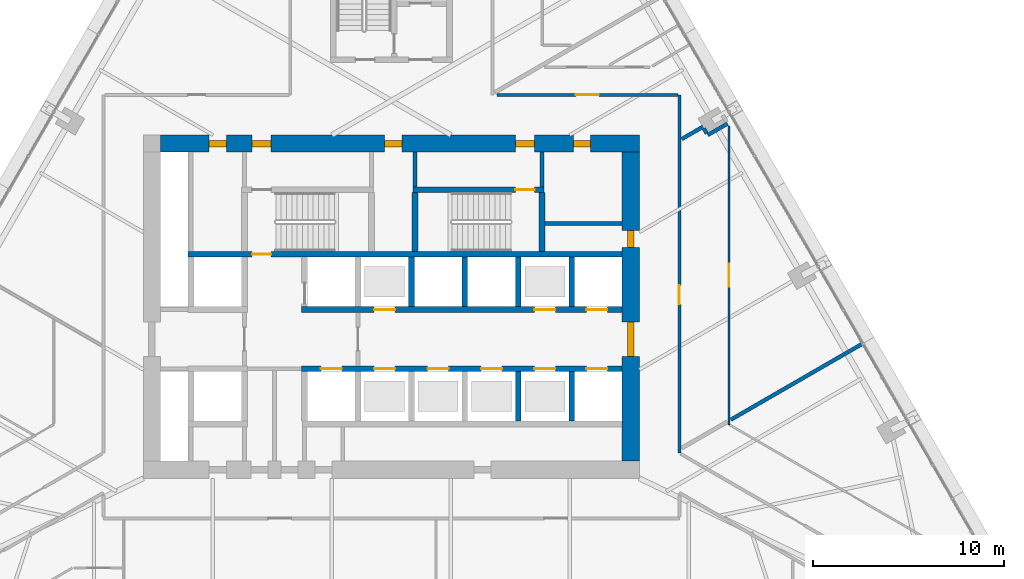
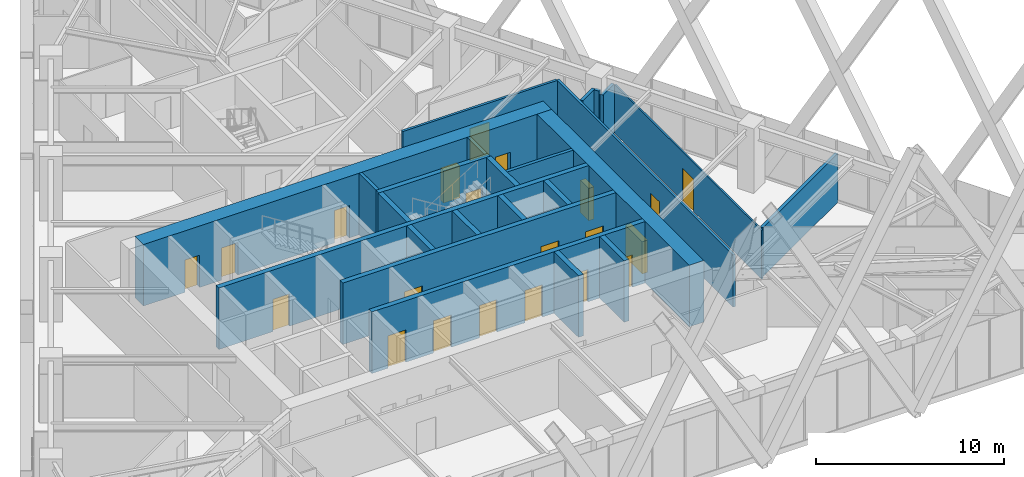
# One storey, part 17 of 21: 24 walls, 21 doors, 21 openings.
"""IFC4 building model written with IfcOpenShell, lengths in metres."""

from ifc_helpers import new_model, si_unit, direction, frame, frame_2d, origin, place, context, subcontext, project, spatial, rectangle, extrude, material, layer, layer_set, type_object, element, fill, save


model = new_model("IFC4")

# Units and contexts
model_context = context("Model", 3, precision=1e-05, world=origin(), true_north=direction((0.0, 1.0)))
body_context = subcontext(model_context, "Body", "Model", "MODEL_VIEW")
ifc_project = project(units=[si_unit("LENGTHUNIT", "METRE"), si_unit("AREAUNIT", "SQUARE_METRE"), si_unit("VOLUMEUNIT", "CUBIC_METRE"), si_unit("PLANEANGLEUNIT", "RADIAN"), si_unit("MASSUNIT", "GRAM", prefix="KILO")], contexts=[model_context])

# Site, building, storey
site_placement = place(None, origin())
site = spatial("IfcSite", under=ifc_project, at=site_placement, CompositionType="ELEMENT")
building_placement = place(site_placement, origin())
building = spatial("IfcBuilding", under=site, at=building_placement, Name="Firuza Gate Tower and Library", CompositionType="ELEMENT")
storey_placement = place(building_placement, frame((0.0, 0.0, 107.199951171875)))
storey = spatial("IfcBuildingStorey", under=building, at=storey_placement, Name="L24", CompositionType="ELEMENT", Elevation=107.199951171875)

# Walls
ifc_material_1 = material(Name="Plasterboard on steel studs", Category="steel")
ifc_layer_1 = layer(ifc_material_1, 0.199951171875)
ifc_layer_set_1 = layer_set([ifc_layer_1], Name="Core partition 200 EI 60")
wall_type_1 = type_object("IfcWallType", Name="Core partition 200 EI 60", PredefinedType="PARTITIONING", material=ifc_layer_set_1)
wall_1_placement = place(storey_placement, frame((83.050048828125, 79.35498046875, 0.0), z_axis=(0.0, 0.0, 1.0), x_axis=(1.0, 0.0, 0.0)))
element("IfcWall", 1, at=wall_1_placement, inside=storey, type_object=wall_type_1, Name="Core partition L24 4", PredefinedType="PARTITIONING", context=body_context, shape_type="SweptSolid", body=[
    extrude(rectangle(XDim=4.050048828125, YDim=0.199951171875, at=frame_2d((2.02490234375, 0.0))), origin(), (0.0, 0.0, 1.0), 4.0),
])
for number, where, z_axis, x_axis, name in (
    (2, (76.239990234375, 81.280029296875, 0.0), (0.0, 0.0, 1.0), (0.0, 1.0, 0.0), "Core partition L24 15"),
    (3, (82.89990234375, 81.280029296875, 0.0), (0.0, 0.0, 1.0), (0.0, 1.0, 0.0), "Core partition L24 16"),
):
    element("IfcWall", number, at=place(storey_placement, frame(where, z_axis=z_axis, x_axis=x_axis)), inside=storey, type_object=wall_type_1, Name=name, PredefinedType="PARTITIONING", context=body_context, shape_type="SweptSolid", body=[
        extrude(rectangle(XDim=1.820068359375, YDim=0.199951171875, at=frame_2d((0.91015625, 0.0))), origin(), (0.0, 0.0, 1.0), 4.0),
    ])

# Wall, openings, doors
ifc_material_2 = material(Name="Concrete C80/95", Category="concrete")
ifc_layer_2 = layer(ifc_material_2, 0.300048828125)
ifc_layer_set_2 = layer_set([ifc_layer_2], Name="Core wall 300 C80/95")
wall_type_2 = type_object("IfcWallType", Name="Core wall 300 C80/95", PredefinedType="SHEAR", material=ifc_layer_set_2)
wall_2_placement = place(storey_placement, frame((70.300048828125, 71.75, 0.0), z_axis=(0.0, 0.0, 1.0), x_axis=(1.0, 0.0, 0.0)))
wall_2 = element("IfcWall", 4, at=wall_2_placement, inside=storey, type_object=wall_type_2, Name="Core wall L24 8", PredefinedType="SHEAR", context=body_context, shape_type="SweptSolid", body=[
    extrude(rectangle(XDim=16.800048828125, YDim=0.300048828125, at=frame_2d((8.39990234375, 0.0))), origin(), (0.0, 0.0, 1.0), 4.0),
])
opening_1_placement = place(wall_2_placement, frame((1.0, 0.0, 0.0)))
opening_1 = element("IfcOpeningElement", 5, at=opening_1_placement, cuts=wall_2, Name="Opening LD-FF1-L24", PredefinedType="OPENING", context=body_context, shape_type="SweptSolid", body=[
    extrude(rectangle(XDim=1.10009765625, YDim=2.10009765625, at=frame_2d((0.550048828125, 1.050048828125))), frame((0.0, 0.16015625, 0.0), z_axis=(0.0, -1.0, 0.0), x_axis=(1.0, 0.0, 0.0)), (0.0, 0.0, 1.0), 0.320068359375),
])
opening_2_placement = place(wall_2_placement, frame((3.800048828125, 0.0, 0.0)))
opening_2 = element("IfcOpeningElement", 6, at=opening_2_placement, cuts=wall_2, Name="Opening LD-LR1-L24", PredefinedType="OPENING", context=body_context, shape_type="SweptSolid", body=[
    extrude(rectangle(XDim=1.10009765625, YDim=2.10009765625, at=frame_2d((0.550048828125, 1.050048828125))), frame((0.0, 0.16015625, 0.0), z_axis=(0.0, -1.0, 0.0), x_axis=(1.0, 0.0, 0.0)), (0.0, 0.0, 1.0), 0.320068359375),
])
opening_3_placement = place(wall_2_placement, frame((6.60009765625, 0.0, 0.0)))
opening_3 = element("IfcOpeningElement", 7, at=opening_3_placement, cuts=wall_2, Name="Opening LD-LR2-L24", PredefinedType="OPENING", context=body_context, shape_type="SweptSolid", body=[
    extrude(rectangle(XDim=1.10009765625, YDim=2.10009765625, at=frame_2d((0.550048828125, 1.050048828125))), frame((0.0, 0.16015625, 0.0), z_axis=(0.0, -1.0, 0.0), x_axis=(1.0, 0.0, 0.0)), (0.0, 0.0, 1.0), 0.320068359375),
])
opening_4_placement = place(wall_2_placement, frame((9.39990234375, 0.0, 0.0)))
opening_4 = element("IfcOpeningElement", 8, at=opening_4_placement, cuts=wall_2, Name="Opening LD-LR3-L24", PredefinedType="OPENING", context=body_context, shape_type="SweptSolid", body=[
    extrude(rectangle(XDim=1.10009765625, YDim=2.10009765625, at=frame_2d((0.550048828125, 1.050048828125))), frame((0.0, 0.16015625, 0.0), z_axis=(0.0, -1.0, 0.0), x_axis=(1.0, 0.0, 0.0)), (0.0, 0.0, 1.0), 0.320068359375),
])
opening_5_placement = place(wall_2_placement, frame((12.199951171875, 0.0, 0.0)))
opening_5 = element("IfcOpeningElement", 9, at=opening_5_placement, cuts=wall_2, Name="Opening LD-LR5-L24", PredefinedType="OPENING", context=body_context, shape_type="SweptSolid", body=[
    extrude(rectangle(XDim=1.10009765625, YDim=2.10009765625, at=frame_2d((0.550048828125, 1.050048828125))), frame((0.0, 0.16015625, 0.0), z_axis=(0.0, -1.0, 0.0), x_axis=(1.0, 0.0, 0.0)), (0.0, 0.0, 1.0), 0.320068359375),
])
opening_6_placement = place(wall_2_placement, frame((14.925048828125, 0.0, 0.0)))
opening_6 = element("IfcOpeningElement", 10, at=opening_6_placement, cuts=wall_2, Name="Opening LD-LR7-L24", PredefinedType="OPENING", context=body_context, shape_type="SweptSolid", body=[
    extrude(rectangle(XDim=1.10009765625, YDim=2.10009765625, at=frame_2d((0.550048828125, 1.050048828125))), frame((0.0, 0.16015625, 0.0), z_axis=(0.0, -1.0, 0.0), x_axis=(1.0, 0.0, 0.0)), (0.0, 0.0, 1.0), 0.320068359375),
])
ifc_material_3 = material(Name="Stainless steel", Category="steel")
door_type_1 = type_object("IfcDoorType", Name="Lift landing door 1100x2100", OperationType="DOUBLE_DOOR_SLIDING", PredefinedType="DOOR", material=ifc_material_3)
door_1_placement = place(opening_1_placement, origin())
door_1 = element("IfcDoor", 11, at=door_1_placement, inside=storey, type_object=door_type_1, Name="Landing door FF1 L24", OperationType="DOUBLE_DOOR_SLIDING", OverallHeight=2.10009765625, OverallWidth=1.10009765625, PredefinedType="DOOR", context=body_context, shape_type="SweptSolid", body=[
    extrude(rectangle(XDim=1.10009765625, YDim=2.10009765625, at=frame_2d((0.550048828125, 1.050048828125))), frame((0.0, 0.02490234375, 0.0), z_axis=(0.0, -1.0, 0.0), x_axis=(1.0, 0.0, 0.0)), (0.0, 0.0, 1.0), 0.050048828125),
])
fill(opening_1, door_1)
door_2_placement = place(opening_2_placement, origin())
door_2 = element("IfcDoor", 12, at=door_2_placement, inside=storey, type_object=door_type_1, Name="Landing door LR1 L24", OperationType="DOUBLE_DOOR_SLIDING", OverallHeight=2.10009765625, OverallWidth=1.10009765625, PredefinedType="DOOR", context=body_context, shape_type="SweptSolid", body=[
    extrude(rectangle(XDim=1.10009765625, YDim=2.10009765625, at=frame_2d((0.550048828125, 1.050048828125))), frame((0.0, 0.02490234375, 0.0), z_axis=(0.0, -1.0, 0.0), x_axis=(1.0, 0.0, 0.0)), (0.0, 0.0, 1.0), 0.050048828125),
])
fill(opening_2, door_2)
door_3_placement = place(opening_3_placement, origin())
door_3 = element("IfcDoor", 13, at=door_3_placement, inside=storey, type_object=door_type_1, Name="Landing door LR2 L24", OperationType="DOUBLE_DOOR_SLIDING", OverallHeight=2.10009765625, OverallWidth=1.10009765625, PredefinedType="DOOR", context=body_context, shape_type="SweptSolid", body=[
    extrude(rectangle(XDim=1.10009765625, YDim=2.10009765625, at=frame_2d((0.550048828125, 1.050048828125))), frame((0.0, 0.02490234375, 0.0), z_axis=(0.0, -1.0, 0.0), x_axis=(1.0, 0.0, 0.0)), (0.0, 0.0, 1.0), 0.050048828125),
])
fill(opening_3, door_3)
door_4_placement = place(opening_4_placement, origin())
door_4 = element("IfcDoor", 14, at=door_4_placement, inside=storey, type_object=door_type_1, Name="Landing door LR3 L24", OperationType="DOUBLE_DOOR_SLIDING", OverallHeight=2.10009765625, OverallWidth=1.10009765625, PredefinedType="DOOR", context=body_context, shape_type="SweptSolid", body=[
    extrude(rectangle(XDim=1.10009765625, YDim=2.10009765625, at=frame_2d((0.550048828125, 1.050048828125))), frame((0.0, 0.02490234375, 0.0), z_axis=(0.0, -1.0, 0.0), x_axis=(1.0, 0.0, 0.0)), (0.0, 0.0, 1.0), 0.050048828125),
])
fill(opening_4, door_4)
door_5_placement = place(opening_5_placement, origin())
door_5 = element("IfcDoor", 15, at=door_5_placement, inside=storey, type_object=door_type_1, Name="Landing door LR5 L24", OperationType="DOUBLE_DOOR_SLIDING", OverallHeight=2.10009765625, OverallWidth=1.10009765625, PredefinedType="DOOR", context=body_context, shape_type="SweptSolid", body=[
    extrude(rectangle(XDim=1.10009765625, YDim=2.10009765625, at=frame_2d((0.550048828125, 1.050048828125))), frame((0.0, 0.02490234375, 0.0), z_axis=(0.0, -1.0, 0.0), x_axis=(1.0, 0.0, 0.0)), (0.0, 0.0, 1.0), 0.050048828125),
])
fill(opening_5, door_5)
door_6_placement = place(opening_6_placement, origin())
door_6 = element("IfcDoor", 16, at=door_6_placement, inside=storey, type_object=door_type_1, Name="Landing door LR7 L24", OperationType="DOUBLE_DOOR_SLIDING", OverallHeight=2.10009765625, OverallWidth=1.10009765625, PredefinedType="DOOR", context=body_context, shape_type="SweptSolid", body=[
    extrude(rectangle(XDim=1.10009765625, YDim=2.10009765625, at=frame_2d((0.550048828125, 1.050048828125))), frame((0.0, 0.02490234375, 0.0), z_axis=(0.0, -1.0, 0.0), x_axis=(1.0, 0.0, 0.0)), (0.0, 0.0, 1.0), 0.050048828125),
])
fill(opening_6, door_6)

wall_3_placement = place(storey_placement, frame((70.300048828125, 74.85009765625, 0.0), z_axis=(0.0, 0.0, 1.0), x_axis=(1.0, 0.0, 0.0)))
wall_3 = element("IfcWall", 17, at=wall_3_placement, inside=storey, type_object=wall_type_2, Name="Core wall L24 10", PredefinedType="SHEAR", context=body_context, shape_type="SweptSolid", body=[
    extrude(rectangle(XDim=16.800048828125, YDim=0.300048828125, at=frame_2d((8.39990234375, 0.0))), origin(), (0.0, 0.0, 1.0), 4.0),
])
opening_7_placement = place(wall_3_placement, frame((3.800048828125, 0.0, 0.0)))
opening_7 = element("IfcOpeningElement", 18, at=opening_7_placement, cuts=wall_3, Name="Opening LD-LR4-L24", PredefinedType="OPENING", context=body_context, shape_type="SweptSolid", body=[
    extrude(rectangle(XDim=1.10009765625, YDim=2.10009765625, at=frame_2d((0.550048828125, 1.050048828125))), frame((0.0, 0.16015625, 0.0), z_axis=(0.0, -1.0, 0.0), x_axis=(1.0, 0.0, 0.0)), (0.0, 0.0, 1.0), 0.320068359375),
])
opening_8_placement = place(wall_3_placement, frame((12.199951171875, 0.0, 0.0)))
opening_8 = element("IfcOpeningElement", 19, at=opening_8_placement, cuts=wall_3, Name="Opening LD-LR6-L24", PredefinedType="OPENING", context=body_context, shape_type="SweptSolid", body=[
    extrude(rectangle(XDim=1.10009765625, YDim=2.10009765625, at=frame_2d((0.550048828125, 1.050048828125))), frame((0.0, 0.16015625, 0.0), z_axis=(0.0, -1.0, 0.0), x_axis=(1.0, 0.0, 0.0)), (0.0, 0.0, 1.0), 0.320068359375),
])
opening_9_placement = place(wall_3_placement, frame((14.925048828125, 0.0, 0.0)))
opening_9 = element("IfcOpeningElement", 20, at=opening_9_placement, cuts=wall_3, Name="Opening LD-LR8-L24", PredefinedType="OPENING", context=body_context, shape_type="SweptSolid", body=[
    extrude(rectangle(XDim=1.10009765625, YDim=2.10009765625, at=frame_2d((0.550048828125, 1.050048828125))), frame((0.0, 0.16015625, 0.0), z_axis=(0.0, -1.0, 0.0), x_axis=(1.0, 0.0, 0.0)), (0.0, 0.0, 1.0), 0.320068359375),
])
door_7_placement = place(opening_7_placement, origin())
door_7 = element("IfcDoor", 21, at=door_7_placement, inside=storey, type_object=door_type_1, Name="Landing door LR4 L24", OperationType="DOUBLE_DOOR_SLIDING", OverallHeight=2.10009765625, OverallWidth=1.10009765625, PredefinedType="DOOR", context=body_context, shape_type="SweptSolid", body=[
    extrude(rectangle(XDim=1.10009765625, YDim=2.10009765625, at=frame_2d((0.550048828125, 1.050048828125))), frame((0.0, 0.02490234375, 0.0), z_axis=(0.0, -1.0, 0.0), x_axis=(1.0, 0.0, 0.0)), (0.0, 0.0, 1.0), 0.050048828125),
])
fill(opening_7, door_7)
door_8_placement = place(opening_8_placement, origin())
door_8 = element("IfcDoor", 22, at=door_8_placement, inside=storey, type_object=door_type_1, Name="Landing door LR6 L24", OperationType="DOUBLE_DOOR_SLIDING", OverallHeight=2.10009765625, OverallWidth=1.10009765625, PredefinedType="DOOR", context=body_context, shape_type="SweptSolid", body=[
    extrude(rectangle(XDim=1.10009765625, YDim=2.10009765625, at=frame_2d((0.550048828125, 1.050048828125))), frame((0.0, 0.02490234375, 0.0), z_axis=(0.0, -1.0, 0.0), x_axis=(1.0, 0.0, 0.0)), (0.0, 0.0, 1.0), 0.050048828125),
])
fill(opening_8, door_8)
door_9_placement = place(opening_9_placement, origin())
door_9 = element("IfcDoor", 23, at=door_9_placement, inside=storey, type_object=door_type_1, Name="Landing door LR8 L24", OperationType="DOUBLE_DOOR_SLIDING", OverallHeight=2.10009765625, OverallWidth=1.10009765625, PredefinedType="DOOR", context=body_context, shape_type="SweptSolid", body=[
    extrude(rectangle(XDim=1.10009765625, YDim=2.10009765625, at=frame_2d((0.550048828125, 1.050048828125))), frame((0.0, 0.02490234375, 0.0), z_axis=(0.0, -1.0, 0.0), x_axis=(1.0, 0.0, 0.0)), (0.0, 0.0, 1.0), 0.050048828125),
])
fill(opening_9, door_9)

# Walls
for number, where, z_axis, x_axis, name in (
    (24, (76.050048828125, 75.0, 0.0), (0.0, 0.0, 1.0), (0.0, 1.0, 0.0), "Core wall L24 20"),
    (25, (78.85009765625, 75.0, 0.0), (0.0, 0.0, 1.0), (0.0, 1.0, 0.0), "Core wall L24 22"),
    (26, (81.64990234375, 69.0, 0.0), (0.0, 0.0, 1.0), (0.0, 1.0, 0.0), "Core wall L24 23"),
    (27, (81.64990234375, 75.0, 0.0), (0.0, 0.0, 1.0), (0.0, 1.0, 0.0), "Core wall L24 24"),
    (28, (84.449951171875, 69.0, 0.0), (0.0, 0.0, 1.0), (0.0, 1.0, 0.0), "Core wall L24 25"),
    (29, (84.449951171875, 75.0, 0.0), (0.0, 0.0, 1.0), (0.0, 1.0, 0.0), "Core wall L24 26"),
):
    element("IfcWall", number, at=place(storey_placement, frame(where, z_axis=z_axis, x_axis=x_axis)), inside=storey, type_object=wall_type_2, Name=name, PredefinedType="SHEAR", context=body_context, shape_type="SweptSolid", body=[
        extrude(rectangle(XDim=2.60009765625, YDim=0.300048828125, at=frame_2d((1.300048828125, 0.0))), origin(), (0.0, 0.0, 1.0), 4.0),
    ])

# Wall, opening, door
wall_4_placement = place(storey_placement, frame((64.35009765625, 77.75, 0.0), z_axis=(0.0, 0.0, 1.0), x_axis=(1.0, 0.0, 0.0)))
wall_4 = element("IfcWall", 30, at=wall_4_placement, inside=storey, type_object=wall_type_2, Name="Core wall L24 27", PredefinedType="SHEAR", context=body_context, shape_type="SweptSolid", body=[
    extrude(rectangle(XDim=22.75, YDim=0.300048828125, at=frame_2d((11.375, 0.0))), origin(), (0.0, 0.0, 1.0), 4.0),
])
opening_10_placement = place(wall_4_placement, frame((3.344970703125, 0.0, 0.0)))
opening_10 = element("IfcOpeningElement", 31, at=opening_10_placement, cuts=wall_4, Name="Opening L24-K12", PredefinedType="OPENING", context=body_context, shape_type="SweptSolid", body=[
    extrude(rectangle(XDim=1.0, YDim=2.10009765625, at=frame_2d((0.5, 1.050048828125))), frame((0.0, 0.16015625, 0.0), z_axis=(0.0, -1.0, 0.0), x_axis=(1.0, 0.0, 0.0)), (0.0, 0.0, 1.0), 0.320068359375),
])
ifc_material_4 = material(Name="Steel", Category="steel")
door_type_2 = type_object("IfcDoorType", Name="Fire door 1000x2100 FD90", OperationType="NOTDEFINED", PredefinedType="DOOR", material=ifc_material_4)
door_10_placement = place(opening_10_placement, origin())
door_10 = element("IfcDoor", 32, at=door_10_placement, inside=storey, type_object=door_type_2, Name="Door L24-K12", OperationType="SINGLE_SWING_LEFT", OverallHeight=2.10009765625, OverallWidth=1.0, PredefinedType="DOOR", context=body_context, shape_type="SweptSolid", body=[
    extrude(rectangle(XDim=1.0, YDim=2.10009765625, at=frame_2d((0.5, 1.050048828125))), frame((0.0, 0.02490234375, 0.0), z_axis=(0.0, -1.0, 0.0), x_axis=(1.0, 0.0, 0.0)), (0.0, 0.0, 1.0), 0.050048828125),
])
fill(opening_10, door_10)

wall_5_placement = place(storey_placement, frame((76.139892578125, 81.1298828125, 0.0), z_axis=(0.0, 0.0, 1.0), x_axis=(1.0, 0.0, 0.0)))
wall_5 = element("IfcWall", 33, at=wall_5_placement, inside=storey, type_object=wall_type_2, Name="Core wall L24 29", PredefinedType="SHEAR", context=body_context, shape_type="SweptSolid", body=[
    extrude(rectangle(XDim=6.860107421875, YDim=0.300048828125, at=frame_2d((3.43017578125, 0.0))), origin(), (0.0, 0.0, 1.0), 4.0),
])
opening_11_placement = place(wall_5_placement, frame((5.364990234375, 0.0, 0.0)))
opening_11 = element("IfcOpeningElement", 34, at=opening_11_placement, cuts=wall_5, Name="Opening L24-K15", PredefinedType="OPENING", context=body_context, shape_type="SweptSolid", body=[
    extrude(rectangle(XDim=1.0, YDim=2.10009765625, at=frame_2d((0.5, 1.050048828125))), frame((0.0, 0.16015625, 0.0), z_axis=(0.0, -1.0, 0.0), x_axis=(1.0, 0.0, 0.0)), (0.0, 0.0, 1.0), 0.320068359375),
])
door_11_placement = place(opening_11_placement, origin())
door_11 = element("IfcDoor", 35, at=door_11_placement, inside=storey, type_object=door_type_2, Name="Door L24-K15", OperationType="SINGLE_SWING_RIGHT", OverallHeight=2.10009765625, OverallWidth=1.0, PredefinedType="DOOR", context=body_context, shape_type="SweptSolid", body=[
    extrude(rectangle(XDim=1.0, YDim=2.10009765625, at=frame_2d((0.5, 1.050048828125))), frame((0.0, 0.02490234375, 0.0), z_axis=(0.0, -1.0, 0.0), x_axis=(1.0, 0.0, 0.0)), (0.0, 0.0, 1.0), 0.050048828125),
])
fill(opening_11, door_11)

# Walls
for number, where, z_axis, x_axis, name in (
    (36, (76.239990234375, 77.89990234375, 0.0), (0.0, 0.0, 1.0), (0.0, 1.0, 0.0), "Core wall L24 32"),
    (37, (82.89990234375, 77.89990234375, 0.0), (0.0, 0.0, 1.0), (0.0, 1.0, 0.0), "Core wall L24 33"),
):
    element("IfcWall", number, at=place(storey_placement, frame(where, z_axis=z_axis, x_axis=x_axis)), inside=storey, type_object=wall_type_2, Name=name, PredefinedType="SHEAR", context=body_context, shape_type="SweptSolid", body=[
        extrude(rectangle(XDim=3.080078125, YDim=0.300048828125, at=frame_2d((1.5400390625, 0.0))), origin(), (0.0, 0.0, 1.0), 4.0),
    ])

# Wall, openings, doors
ifc_material_5 = material(Name="Concrete C80/95", Category="concrete")
ifc_layer_3 = layer(ifc_material_5, 0.89990234375)
ifc_layer_set_3 = layer_set([ifc_layer_3], Name="Core wall 900 C80/95")
wall_type_3 = type_object("IfcWallType", Name="Core wall 900 C80/95", PredefinedType="SHEAR", material=ifc_layer_set_3)
wall_6_placement = place(storey_placement, frame((62.89990234375, 83.550048828125, 0.0), z_axis=(0.0, 0.0, 1.0), x_axis=(1.0, 0.0, 0.0)))
wall_6 = element("IfcWall", 38, at=wall_6_placement, inside=storey, type_object=wall_type_3, Name="Core wall L24 2", PredefinedType="SHEAR", context=body_context, shape_type="SweptSolid", body=[
    extrude(rectangle(XDim=25.10009765625, YDim=0.89990234375, at=frame_2d((12.550048828125, 0.0))), origin(), (0.0, 0.0, 1.0), 4.0),
])
opening_12_placement = place(wall_6_placement, frame((4.794921875, 0.0, 0.0)))
opening_12 = element("IfcOpeningElement", 39, at=opening_12_placement, cuts=wall_6, Name="Opening L24-K14", PredefinedType="OPENING", context=body_context, shape_type="SweptSolid", body=[
    extrude(rectangle(XDim=1.0, YDim=2.10009765625, at=frame_2d((0.5, 1.050048828125))), frame((0.0, 0.4599609375, 0.0), z_axis=(0.0, -1.0, 0.0), x_axis=(1.0, 0.0, 0.0)), (0.0, 0.0, 1.0), 0.919921875),
])
opening_13_placement = place(wall_6_placement, frame((18.60498046875, 0.0, 0.0)))
opening_13 = element("IfcOpeningElement", 40, at=opening_13_placement, cuts=wall_6, Name="Opening L24-K16", PredefinedType="OPENING", context=body_context, shape_type="SweptSolid", body=[
    extrude(rectangle(XDim=1.0, YDim=2.10009765625, at=frame_2d((0.5, 1.050048828125))), frame((0.0, 0.4599609375, 0.0), z_axis=(0.0, -1.0, 0.0), x_axis=(1.0, 0.0, 0.0)), (0.0, 0.0, 1.0), 0.919921875),
])
opening_14_placement = place(wall_6_placement, frame((2.550048828125, 0.0, 0.0)))
opening_14 = element("IfcOpeningElement", 41, at=opening_14_placement, cuts=wall_6, Name="Opening L24-K29", PredefinedType="OPENING", context=body_context, shape_type="SweptSolid", body=[
    extrude(rectangle(XDim=0.89990234375, YDim=2.10009765625, at=frame_2d((0.449951171875, 1.050048828125))), frame((0.0, 0.4599609375, 0.0), z_axis=(0.0, -1.0, 0.0), x_axis=(1.0, 0.0, 0.0)), (0.0, 0.0, 1.0), 0.919921875),
])
opening_15_placement = place(wall_6_placement, frame((11.75, 0.0, 0.0)))
opening_15 = element("IfcOpeningElement", 42, at=opening_15_placement, cuts=wall_6, Name="Opening L24-K30", PredefinedType="OPENING", context=body_context, shape_type="SweptSolid", body=[
    extrude(rectangle(XDim=0.89990234375, YDim=2.10009765625, at=frame_2d((0.449951171875, 1.050048828125))), frame((0.0, 0.4599609375, 0.0), z_axis=(0.0, -1.0, 0.0), x_axis=(1.0, 0.0, 0.0)), (0.0, 0.0, 1.0), 0.919921875),
])
opening_16_placement = place(wall_6_placement, frame((21.64990234375, 0.0, 0.0)))
opening_16 = element("IfcOpeningElement", 43, at=opening_16_placement, cuts=wall_6, Name="Opening L24-K32", PredefinedType="OPENING", context=body_context, shape_type="SweptSolid", body=[
    extrude(rectangle(XDim=0.89990234375, YDim=2.10009765625, at=frame_2d((0.449951171875, 1.050048828125))), frame((0.0, 0.4599609375, 0.0), z_axis=(0.0, -1.0, 0.0), x_axis=(1.0, 0.0, 0.0)), (0.0, 0.0, 1.0), 0.919921875),
])
door_12_placement = place(opening_12_placement, origin())
door_12 = element("IfcDoor", 44, at=door_12_placement, inside=storey, type_object=door_type_2, Name="Door L24-K14", OperationType="SINGLE_SWING_LEFT", OverallHeight=2.10009765625, OverallWidth=1.0, PredefinedType="DOOR", context=body_context, shape_type="SweptSolid", body=[
    extrude(rectangle(XDim=1.0, YDim=2.10009765625, at=frame_2d((0.5, 1.050048828125))), frame((0.0, 0.169921875, 0.0), z_axis=(0.0, -1.0, 0.0), x_axis=(1.0, 0.0, 0.0)), (0.0, 0.0, 1.0), 0.33984375),
])
fill(opening_12, door_12)
door_13_placement = place(opening_13_placement, origin())
door_13 = element("IfcDoor", 45, at=door_13_placement, inside=storey, type_object=door_type_2, Name="Door L24-K16", OperationType="SINGLE_SWING_LEFT", OverallHeight=2.10009765625, OverallWidth=1.0, PredefinedType="DOOR", context=body_context, shape_type="SweptSolid", body=[
    extrude(rectangle(XDim=1.0, YDim=2.10009765625, at=frame_2d((0.5, 1.050048828125))), frame((0.0, 0.169921875, 0.0), z_axis=(0.0, -1.0, 0.0), x_axis=(1.0, 0.0, 0.0)), (0.0, 0.0, 1.0), 0.33984375),
])
fill(opening_13, door_13)
ifc_material_6 = material(Name="Steel", Category="steel")
door_type_3 = type_object("IfcDoorType", Name="Fire door 900x2100 FD30S", OperationType="NOTDEFINED", PredefinedType="DOOR", material=ifc_material_6)
door_14_placement = place(opening_14_placement, origin())
door_14 = element("IfcDoor", 46, at=door_14_placement, inside=storey, type_object=door_type_3, Name="Door L24-K29", OperationType="SINGLE_SWING_RIGHT", OverallHeight=2.10009765625, OverallWidth=0.89990234375, PredefinedType="DOOR", context=body_context, shape_type="SweptSolid", body=[
    extrude(rectangle(XDim=0.89990234375, YDim=2.10009765625, at=frame_2d((0.449951171875, 1.050048828125))), frame((0.0, 0.169921875, 0.0), z_axis=(0.0, -1.0, 0.0), x_axis=(1.0, 0.0, 0.0)), (0.0, 0.0, 1.0), 0.33984375),
])
fill(opening_14, door_14)
door_15_placement = place(opening_15_placement, origin())
door_15 = element("IfcDoor", 47, at=door_15_placement, inside=storey, type_object=door_type_3, Name="Door L24-K30", OperationType="SINGLE_SWING_LEFT", OverallHeight=2.10009765625, OverallWidth=0.89990234375, PredefinedType="DOOR", context=body_context, shape_type="SweptSolid", body=[
    extrude(rectangle(XDim=0.89990234375, YDim=2.10009765625, at=frame_2d((0.449951171875, 1.050048828125))), frame((0.0, 0.169921875, 0.0), z_axis=(0.0, -1.0, 0.0), x_axis=(1.0, 0.0, 0.0)), (0.0, 0.0, 1.0), 0.33984375),
])
fill(opening_15, door_15)
door_16_placement = place(opening_16_placement, origin())
door_16 = element("IfcDoor", 48, at=door_16_placement, inside=storey, type_object=door_type_3, Name="Door L24-K32", OperationType="SINGLE_SWING_LEFT", OverallHeight=2.10009765625, OverallWidth=0.89990234375, PredefinedType="DOOR", context=body_context, shape_type="SweptSolid", body=[
    extrude(rectangle(XDim=0.89990234375, YDim=2.10009765625, at=frame_2d((0.449951171875, 1.050048828125))), frame((0.0, 0.169921875, 0.0), z_axis=(0.0, -1.0, 0.0), x_axis=(1.0, 0.0, 0.0)), (0.0, 0.0, 1.0), 0.33984375),
])
fill(opening_16, door_16)

wall_7_placement = place(storey_placement, frame((87.550048828125, 66.89990234375, 0.0), z_axis=(0.0, 0.0, 1.0), x_axis=(0.0, 1.0, 0.0)))
wall_7 = element("IfcWall", 49, at=wall_7_placement, inside=storey, type_object=wall_type_3, Name="Core wall L24 4", PredefinedType="SHEAR", context=body_context, shape_type="SweptSolid", body=[
    extrude(rectangle(XDim=16.2001953125, YDim=0.89990234375, at=frame_2d((8.10009765625, 0.0))), origin(), (0.0, 0.0, 1.0), 4.0),
])
opening_17_placement = place(wall_7_placement, frame((5.5, 0.0, 0.0)))
opening_17 = element("IfcOpeningElement", 50, at=opening_17_placement, cuts=wall_7, Name="Opening L24-K23", PredefinedType="OPENING", context=body_context, shape_type="SweptSolid", body=[
    extrude(rectangle(XDim=1.800048828125, YDim=2.10009765625, at=frame_2d((0.89990234375, 1.050048828125))), frame((0.0, 0.4599609375, 0.0), z_axis=(0.0, -1.0, 0.0), x_axis=(1.0, 0.0, 0.0)), (0.0, 0.0, 1.0), 0.919921875),
])
opening_18_placement = place(wall_7_placement, frame((11.202392578125, 0.0, 0.0)))
opening_18 = element("IfcOpeningElement", 51, at=opening_18_placement, cuts=wall_7, Name="Opening L24-K31", PredefinedType="OPENING", context=body_context, shape_type="SweptSolid", body=[
    extrude(rectangle(XDim=0.89990234375, YDim=2.10009765625, at=frame_2d((0.449951171875, 1.050048828125))), frame((0.0, 0.4599609375, 0.0), z_axis=(0.0, -1.0, 0.0), x_axis=(1.0, 0.0, 0.0)), (0.0, 0.0, 1.0), 0.919921875),
])
ifc_material_7 = material(Name="Steel", Category="steel")
door_type_4 = type_object("IfcDoorType", Name="Fire door 1800x2100 FD30S", OperationType="NOTDEFINED", PredefinedType="DOOR", material=ifc_material_7)
door_17_placement = place(opening_17_placement, origin())
door_17 = element("IfcDoor", 52, at=door_17_placement, inside=storey, type_object=door_type_4, Name="Door L24-K23", OperationType="SINGLE_SWING_RIGHT", OverallHeight=2.10009765625, OverallWidth=1.800048828125, PredefinedType="DOOR", context=body_context, shape_type="SweptSolid", body=[
    extrude(rectangle(XDim=1.800048828125, YDim=2.10009765625, at=frame_2d((0.89990234375, 1.050048828125))), frame((0.0, 0.169921875, 0.0), z_axis=(0.0, -1.0, 0.0), x_axis=(1.0, 0.0, 0.0)), (0.0, 0.0, 1.0), 0.33984375),
])
fill(opening_17, door_17)
door_18_placement = place(opening_18_placement, origin())
door_18 = element("IfcDoor", 53, at=door_18_placement, inside=storey, type_object=door_type_3, Name="Door L24-K31", OperationType="SINGLE_SWING_RIGHT", OverallHeight=2.10009765625, OverallWidth=0.89990234375, PredefinedType="DOOR", context=body_context, shape_type="SweptSolid", body=[
    extrude(rectangle(XDim=0.89990234375, YDim=2.10009765625, at=frame_2d((0.449951171875, 1.050048828125))), frame((0.0, 0.169921875, 0.0), z_axis=(0.0, -1.0, 0.0), x_axis=(1.0, 0.0, 0.0)), (0.0, 0.0, 1.0), 0.33984375),
])
fill(opening_18, door_18)

# Wall, opening, door
ifc_material_8 = material(Name="Gypsum board partition")
ifc_layer_4 = layer(ifc_material_8, 0.14990234375)
ifc_layer_set_4 = layer_set([ifc_layer_4], Name="Corridor wall 150 double board on steel studs")
wall_type_4 = type_object("IfcWallType", Name="Corridor wall 150 double board on steel studs", PredefinedType="PARTITIONING", material=ifc_layer_set_4)
wall_8_placement = place(storey_placement, frame((80.530029296875, 86.10009765625, 0.0), z_axis=(0.0, 0.0, 1.0), x_axis=(1.0, 0.0, 0.0)))
wall_8 = element("IfcWall", 54, at=wall_8_placement, inside=storey, type_object=wall_type_4, Name="f:L24:w003", PredefinedType="PARTITIONING", context=body_context, shape_type="SweptSolid", body=[
    extrude(rectangle(XDim=9.494384765625, YDim=0.14990234375, at=frame_2d((4.7470703125, 0.0))), origin(), (0.0, 0.0, 1.0), 3.400146484375),
])
opening_19_placement = place(wall_8_placement, frame((4.147216796875, 0.0, 0.0)))
opening_19 = element("IfcOpeningElement", 55, at=opening_19_placement, cuts=wall_8, Name="Opening L24-05", PredefinedType="OPENING", context=body_context, shape_type="SweptSolid", body=[
    extrude(rectangle(XDim=1.199951171875, YDim=2.10009765625, at=frame_2d((0.60009765625, 1.050048828125))), frame((0.0, 0.0849609375, 0.0), z_axis=(0.0, -1.0, 0.0), x_axis=(1.0, 0.0, 0.0)), (0.0, 0.0, 1.0), 0.169921875),
])
ifc_material_9 = material(Name="Steel door and timber leaf", Category="steel")
door_type_5 = type_object("IfcDoorType", Name="Fire door 1200 x 2100 steel frame, double leaf", OperationType="NOTDEFINED", PredefinedType="DOOR", material=ifc_material_9)
door_19_placement = place(opening_19_placement, origin())
door_19 = element("IfcDoor", 56, at=door_19_placement, inside=storey, type_object=door_type_5, Name="f:L24:d005", OperationType="DOUBLE_DOOR_SINGLE_SWING", OverallHeight=2.10009765625, OverallWidth=1.199951171875, PredefinedType="DOOR", context=body_context, shape_type="SweptSolid", body=[
    extrude(rectangle(XDim=1.199951171875, YDim=2.10009765625, at=frame_2d((0.60009765625, 1.050048828125))), frame((0.0, 0.02490234375, 0.0), z_axis=(0.0, -1.0, 0.0), x_axis=(1.0, 0.0, 0.0)), (0.0, 0.0, 1.0), 0.050048828125),
])
fill(opening_19, door_19)

wall_9_placement = place(storey_placement, frame((90.10009765625, 86.099609375, 0.0), z_axis=(0.0, 0.0, 1.0), x_axis=(0.0, -1.0, 0.0)))
wall_9 = element("IfcWall", 57, at=wall_9_placement, inside=storey, type_object=wall_type_4, Name="f:L24:w033", PredefinedType="PARTITIONING", context=body_context, shape_type="SweptSolid", body=[
    extrude(rectangle(XDim=18.7783203125, YDim=0.14990234375, at=frame_2d((9.38916015625, 0.0))), origin(), (0.0, 0.0, 1.0), 3.400146484375),
])
opening_20_placement = place(wall_9_placement, frame((9.97802734375, 0.0, 0.0)))
opening_20 = element("IfcOpeningElement", 58, at=opening_20_placement, cuts=wall_9, Name="Opening L24-17", PredefinedType="OPENING", context=body_context, shape_type="SweptSolid", body=[
    extrude(rectangle(XDim=1.0, YDim=2.10009765625, at=frame_2d((0.5, 1.050048828125))), frame((0.0, 0.0849609375, 0.0), z_axis=(0.0, -1.0, 0.0), x_axis=(1.0, 0.0, 0.0)), (0.0, 0.0, 1.0), 0.169921875),
])
ifc_material_10 = material(Name="Steel door and timber leaf", Category="steel")
door_type_6 = type_object("IfcDoorType", Name="Fire door 1000 x 2100 steel frame, timber leaf", OperationType="NOTDEFINED", PredefinedType="DOOR", material=ifc_material_10)
door_20_placement = place(opening_20_placement, origin())
door_20 = element("IfcDoor", 59, at=door_20_placement, inside=storey, type_object=door_type_6, Name="f:L24:d017", OperationType="SINGLE_SWING_LEFT", OverallHeight=2.10009765625, OverallWidth=1.0, PredefinedType="DOOR", context=body_context, shape_type="SweptSolid", body=[
    extrude(rectangle(XDim=1.0, YDim=2.10009765625, at=frame_2d((0.5, 1.050048828125))), frame((0.0, 0.02490234375, 0.0), z_axis=(0.0, -1.0, 0.0), x_axis=(1.0, 0.0, 0.0)), (0.0, 0.0, 1.0), 0.050048828125),
])
fill(opening_20, door_20)

# Walls
ifc_material_11 = material(Name="Gypsum board partition")
ifc_layer_5 = layer(ifc_material_11, 0.199951171875)
ifc_layer_set_5 = layer_set([ifc_layer_5], Name="Demising wall 200 acoustic double stud")
wall_type_5 = type_object("IfcWallType", Name="Demising wall 200 acoustic double stud", PredefinedType="PARTITIONING", material=ifc_layer_set_5)
wall_10_placement = place(storey_placement, frame((91.582763671875, 83.996826171875, 0.0), z_axis=(0.0, 0.0, 1.0), x_axis=(0.866066905393, 0.499928110214, 0.0)))
element("IfcWall", 60, at=wall_10_placement, inside=storey, type_object=wall_type_5, Name="f:L24:w015", PredefinedType="PARTITIONING", context=body_context, shape_type="SweptSolid", body=[
    extrude(rectangle(XDim=1.198974609375, YDim=0.199951171875, at=frame_2d((0.599609375, 0.0))), origin(), (0.0, 0.0, 1.0), 3.1650390625),
])
wall_11_placement = place(storey_placement, frame((90.22705078125, 83.79150390625, 0.0), z_axis=(0.0, 0.0, 1.0), x_axis=(0.866067665301, 0.499926793761, 0.0)))
element("IfcWall", 61, at=wall_11_placement, inside=storey, type_object=wall_type_5, Name="f:L24:w016", PredefinedType="PARTITIONING", context=body_context, shape_type="SweptSolid", body=[
    extrude(rectangle(XDim=1.275634765625, YDim=0.199951171875, at=frame_2d((0.6376953125, 0.0))), origin(), (0.0, 0.0, 1.0), 3.400146484375),
])
wall_12_placement = place(storey_placement, frame((91.5322265625, 84.08349609375, 0.0), z_axis=(0.0, 0.0, 1.0), x_axis=(-0.49965177357, 0.866226359082, 0.0)))
element("IfcWall", 62, at=wall_12_placement, inside=storey, type_object=wall_type_5, Name="f:L24:w051", PredefinedType="PARTITIONING", context=body_context, shape_type="SweptSolid", body=[
    extrude(rectangle(XDim=0.299072265625, YDim=0.199951171875, at=frame_2d((0.1494140625, 0.0))), origin(), (0.0, 0.0, 1.0), 3.400146484375),
])
wall_13_placement = place(storey_placement, frame((92.800048828125, 69.075439453125, 0.0), z_axis=(0.0, 0.0, 1.0), x_axis=(0.866027879581, 0.49999571177, 0.0)))
element("IfcWall", 63, at=wall_13_placement, inside=storey, type_object=wall_type_5, Name="f:L24:w070", PredefinedType="PARTITIONING", context=body_context, shape_type="SweptSolid", body=[
    extrude(rectangle(XDim=7.9658203125, YDim=0.199951171875, at=frame_2d((3.98291015625, 0.0))), origin(), (0.0, 0.0, 1.0), 3.1650390625),
])

# Wall, opening, door
ifc_material_12 = material(Name="Gypsum board partition")
ifc_layer_6 = layer(ifc_material_12, 0.10009765625)
ifc_layer_set_6 = layer_set([ifc_layer_6], Name="Partition 100 gypsum board on steel studs")
wall_type_6 = type_object("IfcWallType", Name="Partition 100 gypsum board on steel studs", PredefinedType="PARTITIONING", material=ifc_layer_set_6)
wall_14_placement = place(storey_placement, frame((92.699951171875, 68.82275390625, 0.0), z_axis=(0.0, 0.0, 1.0), x_axis=(0.0, 1.0, 0.0)))
wall_14 = element("IfcWall", 64, at=wall_14_placement, inside=storey, type_object=wall_type_6, Name="f:L24:w031", PredefinedType="PARTITIONING", context=body_context, shape_type="SweptSolid", body=[
    extrude(rectangle(XDim=15.6376953125, YDim=0.10009765625, at=frame_2d((7.81884765625, 0.0))), origin(), (0.0, 0.0, 1.0), 3.1650390625),
])
opening_21_placement = place(wall_14_placement, frame((7.218994140625, 0.0, 0.0)))
opening_21 = element("IfcOpeningElement", 65, at=opening_21_placement, cuts=wall_14, Name="Opening L24-16", PredefinedType="OPENING", context=body_context, shape_type="SweptSolid", body=[
    extrude(rectangle(XDim=1.199951171875, YDim=2.10009765625, at=frame_2d((0.60009765625, 1.050048828125))), frame((0.0, 0.06005859375, 0.0), z_axis=(0.0, -1.0, 0.0), x_axis=(1.0, 0.0, 0.0)), (0.0, 0.0, 1.0), 0.1201171875),
])
ifc_material_13 = material(Name="Glazed aluminium door", Category="aluminium")
door_type_7 = type_object("IfcDoorType", Name="Door 1200 x 2100 glazed double leaf", OperationType="NOTDEFINED", PredefinedType="DOOR", material=ifc_material_13)
door_21_placement = place(opening_21_placement, origin())
door_21 = element("IfcDoor", 66, at=door_21_placement, inside=storey, type_object=door_type_7, Name="f:L24:d016", OperationType="DOUBLE_DOOR_SINGLE_SWING", OverallHeight=2.10009765625, OverallWidth=1.199951171875, PredefinedType="DOOR", context=body_context, shape_type="SweptSolid", body=[
    extrude(rectangle(XDim=1.199951171875, YDim=2.10009765625, at=frame_2d((0.60009765625, 1.050048828125))), frame((0.0, 0.02490234375, 0.0), z_axis=(0.0, -1.0, 0.0), x_axis=(1.0, 0.0, 0.0)), (0.0, 0.0, 1.0), 0.050048828125),
])
fill(opening_21, door_21)

save(model, "model.ifc")
